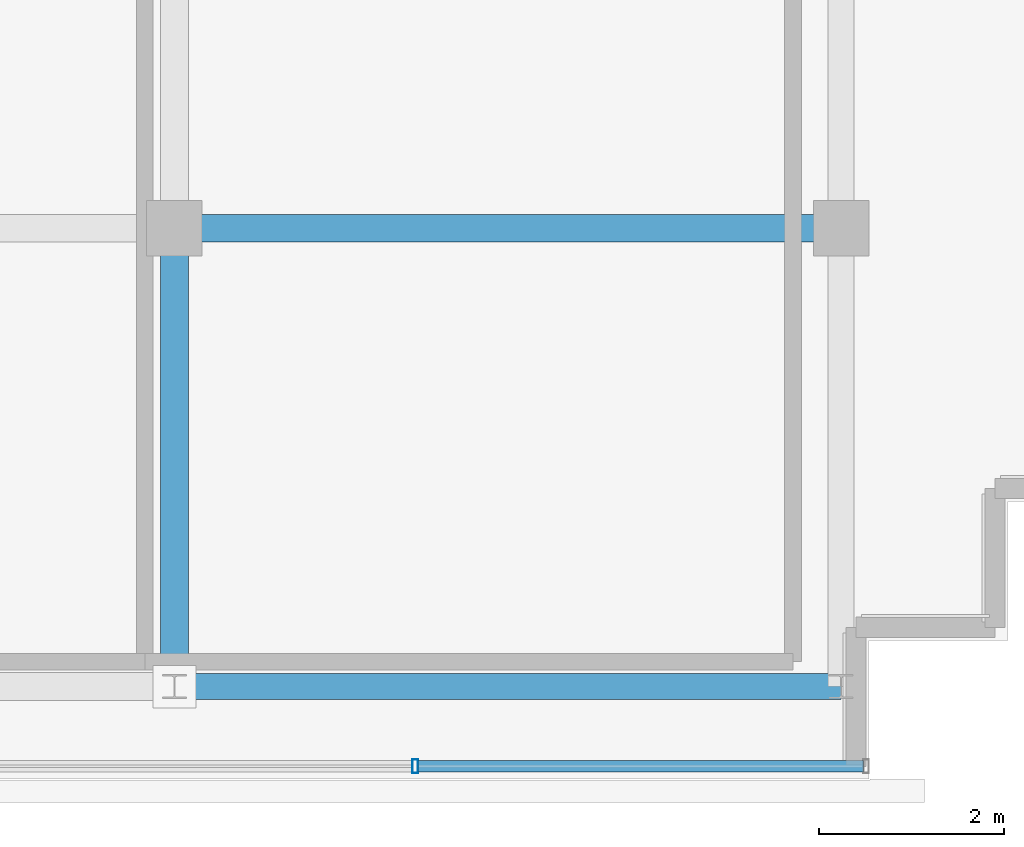
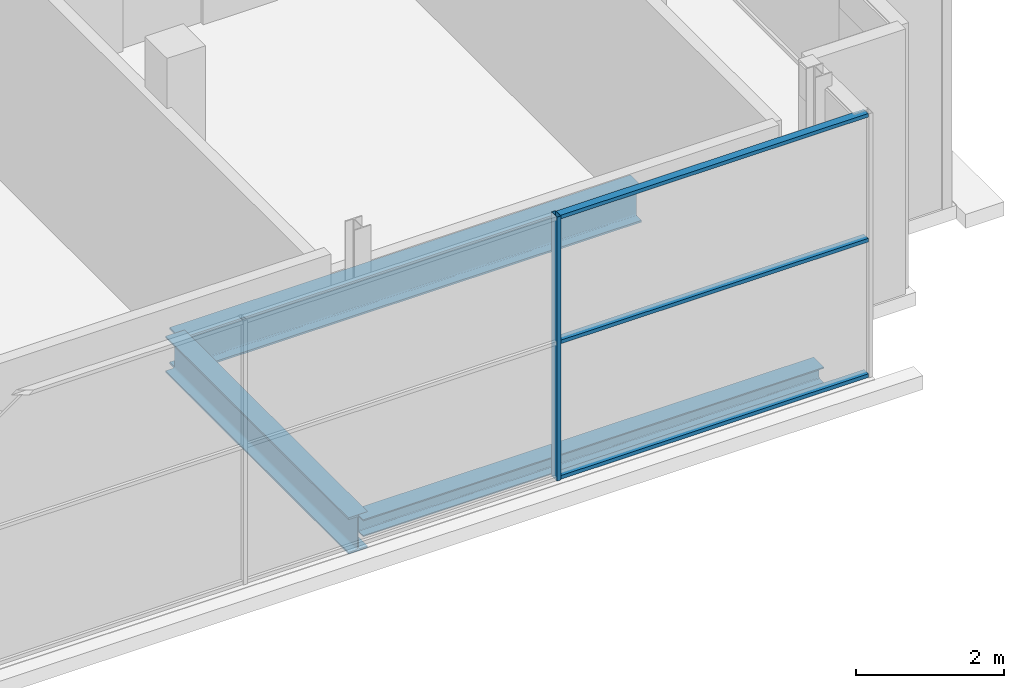
# One storey, part 11 of 27: 4 members, 3 beams, 1 element without a shape of its own.
"""IFC4 building model written with IfcOpenShell, lengths in metres."""

from ifc_helpers import new_model, si_unit, direction, frame, origin, origin_2d, place, context, subcontext, project, spatial, hollow_rectangle, i_section, extrude, source, transform, mapped, material, layer, layer_set, material_profile, profile_set, type_object, element, aggregate, save


model = new_model("IFC4")

# Units and contexts
model_context = context("Model", 3, precision=1e-05, world=origin(), true_north=direction((0.0, 1.0)))
body_context = subcontext(model_context, "Body", "Model", "MODEL_VIEW")
ifc_project = project(units=[si_unit("LENGTHUNIT", "METRE"), si_unit("AREAUNIT", "SQUARE_METRE"), si_unit("VOLUMEUNIT", "CUBIC_METRE"), si_unit("PLANEANGLEUNIT", "RADIAN"), si_unit("MASSUNIT", "GRAM", prefix="KILO")], contexts=[model_context])

# Site, building, storey
site_placement = place(None, origin())
site = spatial("IfcSite", under=ifc_project, at=site_placement, CompositionType="ELEMENT")
building_placement = place(site_placement, origin())
building = spatial("IfcBuilding", under=site, at=building_placement, Name="Zarnakvel Exchange Tower", CompositionType="ELEMENT")
storey_placement = place(building_placement, frame((0.0, 0.0, 294.60009765625)))
storey = spatial("IfcBuildingStorey", under=building, at=storey_placement, Name="Crown L82", CompositionType="ELEMENT", Elevation=294.60009765625)

# Beams
ifc_material_1 = material(Name="Steel S355", Category="steel")
ifc_material_profile_1 = material_profile(ifc_material_1, i_section(OverallWidth=0.300048828125, OverallDepth=0.60009765625, WebThickness=0.015380859375, FlangeThickness=0.030029296875, FilletRadius=0.027099609375, at=origin_2d()))
ifc_profile_set_1 = profile_set([ifc_material_profile_1], Name="Steel S355")
beam_type_1 = type_object("IfcBeamType", Name="G-04", PredefinedType="BEAM", material=ifc_profile_set_1)
beam_1_placement = place(storey_placement, frame((7.199951171875, -9.60009765625, -0.52001953125), z_axis=(1.0, 0.0, 0.0), x_axis=(0.0, 1.0, 0.0)))
element("IfcBeam", 1, at=beam_1_placement, inside=storey, type_object=beam_type_1, Name="Crown L82 Tower E-W Frame Beam", PredefinedType="BEAM", context=body_context, shape_type="SweptSolid", body=[
    extrude(i_section(OverallWidth=0.300048828125, OverallDepth=0.60009765625, WebThickness=0.015380859375, FlangeThickness=0.030029296875, FilletRadius=0.027099609375, at=origin_2d()), origin(), (0.0, 0.0, 1.0), 7.199951171875),
])
beam_2_placement = place(storey_placement, frame((7.199951171875, -14.550048828125, -0.52001953125), z_axis=(0.0, 1.0, 0.0), x_axis=(-1.0, 0.0, 0.0)))
element("IfcBeam", 2, at=beam_2_placement, inside=storey, type_object=beam_type_1, Name="Crown L82 Tower N-S Frame Beam", PredefinedType="BEAM", context=body_context, shape_type="SweptSolid", body=[
    extrude(i_section(OverallWidth=0.300048828125, OverallDepth=0.60009765625, WebThickness=0.015380859375, FlangeThickness=0.030029296875, FilletRadius=0.027099609375, at=origin_2d()), origin(), (0.0, 0.0, 1.0), 4.949951171875),
])
ifc_material_profile_2 = material_profile(ifc_material_1, i_section(OverallWidth=0.280029296875, OverallDepth=0.280029296875, WebThickness=0.010498046875, FlangeThickness=0.01806640625, FilletRadius=0.02392578125, at=origin_2d()))
ifc_profile_set_2 = profile_set([ifc_material_profile_2], Name="Steel S355")
beam_type_2 = type_object("IfcBeamType", Name="SP-04", PredefinedType="SPANDREL", material=ifc_profile_set_2)
beam_3_placement = place(storey_placement, frame((7.199951171875, -14.550048828125, -0.360107421875), z_axis=(1.0, 0.0, 0.0), x_axis=(0.0, 1.0, 0.0)))
element("IfcBeam", 3, at=beam_3_placement, inside=storey, type_object=beam_type_2, Name="Crown L82 Tower E-W Frame Beam", PredefinedType="SPANDREL", context=body_context, shape_type="SweptSolid", body=[
    extrude(i_section(OverallWidth=0.280029296875, OverallDepth=0.280029296875, WebThickness=0.010498046875, FlangeThickness=0.01806640625, FilletRadius=0.02392578125, at=origin_2d()), origin(), (0.0, 0.0, 1.0), 7.199951171875),
])

# Curtain wall, members
ifc_material_2 = material(Name="Architectural Bronze Anodised Aluminium", Category="aluminium")
ifc_layer = layer(ifc_material_2, 0.14990234375)
ifc_layer_set = layer_set([ifc_layer], Name="Architectural Bronze Anodised Aluminium")
curtain_wall_type = type_object("IfcCurtainWallType", Name="CW-07", PredefinedType="NOTDEFINED", material=ifc_layer_set)
curtain_wall_placement = place(storey_placement, origin())
curtain_wall = element("IfcCurtainWall", 4, at=curtain_wall_placement, inside=storey, type_object=curtain_wall_type, Name="Crown L82 Curtain Wall CW-Crown L82-S (CW-07)", PredefinedType="NOTDEFINED")
ifc_material_profile_3 = material_profile(ifc_material_2, hollow_rectangle(XDim=0.14990234375, YDim=0.06005859375, WallThickness=0.00390625, at=origin_2d()))
ifc_profile_set_3 = profile_set([ifc_material_profile_3], Name="Architectural Bronze Anodised Aluminium")
member_type_1 = type_object("IfcMemberType", Name="CWM-07", PredefinedType="MULLION", material=ifc_profile_set_3)
shared_shape_1 = source(origin(), body_context, "Body", "SweptSolid", [
    extrude(hollow_rectangle(XDim=0.14990234375, YDim=0.06005859375, WallThickness=0.00390625, at=origin_2d()), origin(), (0.0, 0.0, 1.0), 4.35986328125),
])
member_1_placement = place(storey_placement, frame((9.800048828125, -15.409912109375, 0.0), z_axis=(0.0, 0.0, 1.0), x_axis=(0.0, 1.0, 0.0)))
member_1 = element("IfcMember", 5, at=member_1_placement, type_object=member_type_1, Name="CW-07 mullion 6", PredefinedType="MULLION", context=body_context, shape_type="MappedRepresentation", body=[
    mapped(shared_shape_1, transform((0.0, 0.0, 0.0), x_axis=(1.0, 0.0, 0.0), y_axis=(0.0, 1.0, 0.0), z_axis=(0.0, 0.0, 1.0), scale=1.0)),
])
ifc_material_profile_4 = material_profile(ifc_material_2, hollow_rectangle(XDim=0.1201171875, YDim=0.06005859375, WallThickness=0.00390625, at=origin_2d()))
ifc_profile_set_4 = profile_set([ifc_material_profile_4], Name="Architectural Bronze Anodised Aluminium")
member_type_2 = type_object("IfcMemberType", Name="CWT-07", PredefinedType="USERDEFINED", material=ifc_profile_set_4)
shared_shape_2 = source(origin(), body_context, "Body", "SweptSolid", [
    extrude(hollow_rectangle(XDim=0.1201171875, YDim=0.06005859375, WallThickness=0.00390625, at=origin_2d()), origin(), (0.0, 0.0, 1.0), 4.809814453125),
])
member_2_placement = place(storey_placement, frame((9.830078125, -15.409912109375, 0.02978515625), z_axis=(1.0, 0.0, 0.0), x_axis=(0.0, 1.0, 0.0)))
member_2 = element("IfcMember", 6, at=member_2_placement, type_object=member_type_2, Name="CW-07 transom 6.1", ObjectType="TRANSOM", PredefinedType="USERDEFINED", context=body_context, shape_type="MappedRepresentation", body=[
    mapped(shared_shape_2, transform((0.0, 0.0, 0.0), x_axis=(1.0, 0.0, 0.0), y_axis=(0.0, 1.0, 0.0), z_axis=(0.0, 0.0, 1.0), scale=1.0)),
])
member_3_placement = place(storey_placement, frame((9.830078125, -15.409912109375, 2.26708984375), z_axis=(1.0, 0.0, 0.0), x_axis=(0.0, 1.0, 0.0)))
member_3 = element("IfcMember", 7, at=member_3_placement, type_object=member_type_2, Name="CW-07 transom 6.2", ObjectType="TRANSOM", PredefinedType="USERDEFINED", context=body_context, shape_type="MappedRepresentation", body=[
    mapped(shared_shape_2, transform((0.0, 0.0, 0.0), x_axis=(1.0, 0.0, 0.0), y_axis=(0.0, 1.0, 0.0), z_axis=(0.0, 0.0, 1.0), scale=1.0)),
])
member_4_placement = place(storey_placement, frame((9.830078125, -15.409912109375, 4.329833984375), z_axis=(1.0, 0.0, 0.0), x_axis=(0.0, 1.0, 0.0)))
member_4 = element("IfcMember", 8, at=member_4_placement, type_object=member_type_2, Name="CW-07 transom 6.3", ObjectType="TRANSOM", PredefinedType="USERDEFINED", context=body_context, shape_type="MappedRepresentation", body=[
    mapped(shared_shape_2, transform((0.0, 0.0, 0.0), x_axis=(1.0, 0.0, 0.0), y_axis=(0.0, 1.0, 0.0), z_axis=(0.0, 0.0, 1.0), scale=1.0)),
])
aggregate(curtain_wall, [member_1, member_2, member_3, member_4])

save(model, "model.ifc")
